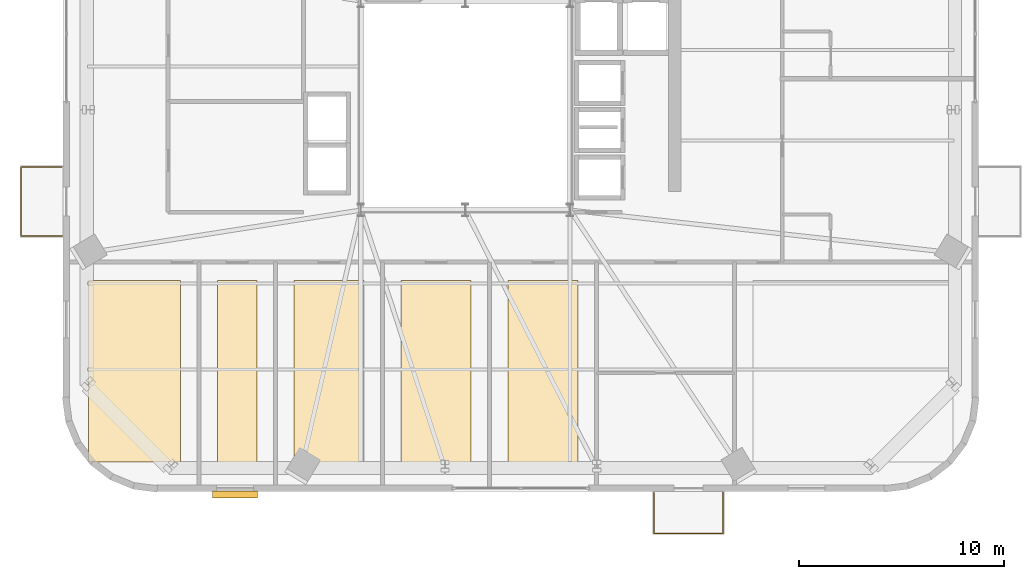
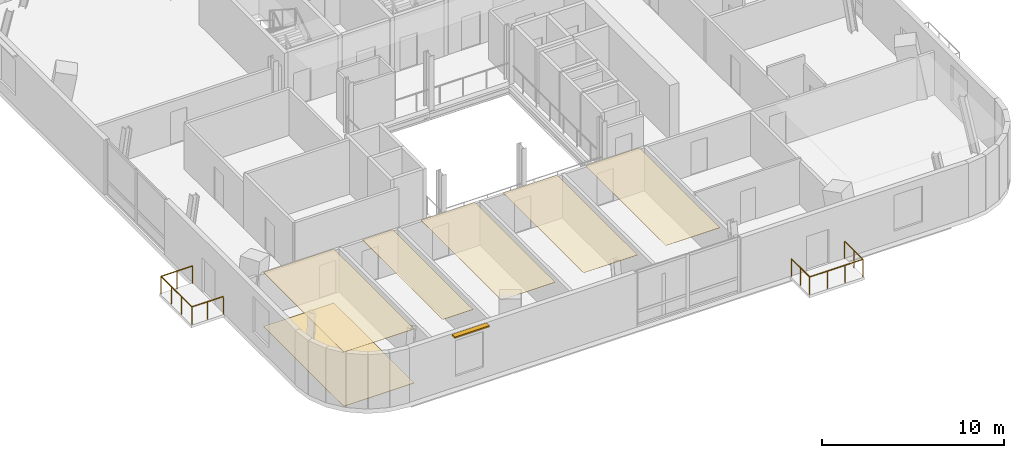
# One storey, part 12 of 15: 6 coverings, 2 railings, 1 shading device.
"""IFC4 building model written with IfcOpenShell, lengths in metres."""

import ifcopenshell
import ifcopenshell.guid

model = None  # the IFC model being written
_history = None  # IfcOwnerHistory: only IFC2X3 demands one
_inside = {}  # id of a spatial element -> (the spatial element, [elements in it])
_under = {}  # id of a project, library or spatial element -> (it, [spatial elements below it])
_declared = {}  # id of a project -> (the project, [libraries it declares])
_typed = {}  # id of a type object -> (the type object, [elements of that type])
_made_of = {}  # id of a material, layer set ... -> (it, [elements and type objects made of it])


def new_model(schema):
    """Start an empty IFC model of exactly this schema.

    Asked for "IFC4X3", IfcOpenShell would pick the latest addendum, in which some entities
    have other attributes; the version numbers below select the first issue.
    IFC2X3 requires an IfcOwnerHistory on every rooted entity: one is made here for all.
    """
    global model, _history
    if schema == "IFC4X3":
        model = ifcopenshell.file(schema_version=(4, 3, 0, 0))
    else:
        model = ifcopenshell.file(schema=schema)
    _inside.clear()
    _under.clear()
    _declared.clear()
    _typed.clear()
    _made_of.clear()
    _history = None
    if model.schema == "IFC2X3":
        org = make("IfcOrganization", Name="unknown")
        user = make(
            "IfcPersonAndOrganization",
            ThePerson=make("IfcPerson", FamilyName="unknown"),
            TheOrganization=org,
        )
        app = make(
            "IfcApplication",
            ApplicationDeveloper=org,
            Version="unknown",
            ApplicationFullName="unknown",
            ApplicationIdentifier="unknown",
        )
        _history = make(
            "IfcOwnerHistory",
            OwningUser=user,
            OwningApplication=app,
            ChangeAction="ADDED",
            CreationDate=0,
        )
    return model


def make(cls, **values):
    """One entity of the class cls with the attributes given. An attribute that is None is left unset."""
    return model.create_entity(
        cls, **{name: value for name, value in values.items() if value is not None}
    )


def rooted(cls, **values):
    """An entity with a GlobalId (a new one), such as an element, a storey or a relation."""
    return make(cls, GlobalId=ifcopenshell.guid.new(), OwnerHistory=_history, **values)


def si_unit(unit_type, name, prefix=None):
    """IfcSIUnit, for example si_unit("LENGTHUNIT", "METRE", prefix="MILLI")."""
    return make("IfcSIUnit", UnitType=unit_type, Prefix=prefix, Name=name)


def assignment(units):
    """IfcUnitAssignment: the units of a project."""
    return None if units is None else make("IfcUnitAssignment", Units=units)


def point(xyz):
    """IfcCartesianPoint."""
    return None if xyz is None else make("IfcCartesianPoint", Coordinates=xyz)


def direction(xyz):
    """IfcDirection."""
    return None if xyz is None else make("IfcDirection", DirectionRatios=xyz)


def frame(location, z_axis=None, x_axis=None):
    """IfcAxis2Placement3D, a coordinate frame: its origin and axes. An axis left out is left unset."""
    return make(
        "IfcAxis2Placement3D",
        Location=point(location),
        Axis=direction(z_axis),
        RefDirection=direction(x_axis),
    )


def frame_2d(location, x_axis=None):
    """IfcAxis2Placement2D, a coordinate frame in the plane: its origin and x axis."""
    return make(
        "IfcAxis2Placement2D", Location=point(location), RefDirection=direction(x_axis)
    )


def origin():
    """The frame at (0, 0, 0) with its axes left unset."""
    return frame((0.0, 0.0, 0.0))


def origin_2d():
    """The frame at (0, 0) in the plane with its x axis left unset."""
    return frame_2d((0.0, 0.0))


def place(relative_to, where):
    """IfcLocalPlacement: puts the frame where relative to a parent placement (None: the world)."""
    return make(
        "IfcLocalPlacement", PlacementRelTo=relative_to, RelativePlacement=where
    )


def context(
    kind, dimensions, precision=None, world=None, true_north=None, identifier=None
):
    """IfcGeometricRepresentationContext, for example the 3D "Model" context."""
    return make(
        "IfcGeometricRepresentationContext",
        ContextIdentifier=identifier,
        ContextType=kind,
        CoordinateSpaceDimension=dimensions,
        Precision=precision,
        WorldCoordinateSystem=world,
        TrueNorth=true_north,
    )


def subcontext(parent, identifier, kind, view, scale=None):
    """IfcGeometricRepresentationSubContext, for example "Body" below "Model"."""
    return make(
        "IfcGeometricRepresentationSubContext",
        ContextIdentifier=identifier,
        ContextType=kind,
        ParentContext=parent,
        TargetScale=scale,
        TargetView=view,
    )


def project(units=None, contexts=None):
    """IfcProject with its units and contexts."""
    return rooted(
        "IfcProject",
        Name="project",
        RepresentationContexts=contexts,
        UnitsInContext=assignment(units),
    )


def spatial(cls, under=None, at=None, **own):
    """A site, building, storey or space (cls), placed at a placement, below another one or the project."""
    s = rooted(cls, ObjectPlacement=at, **own)
    if under is not None:
        _under.setdefault(under.id(), (under, []))[1].append(s)
    return s


def polyline(points):
    """IfcPolyline through the points."""
    return make("IfcPolyline", Points=[point(p) for p in points])


def profile(cls, at=None, kind="AREA", **sizes):
    """A parametric profile (cls). Its sizes go by their IFC names, for example OverallWidth=200.0."""
    return make(cls, ProfileType=kind, Position=at, **sizes)


def rectangle(**sizes):
    """IfcRectangleProfileDef."""
    return profile("IfcRectangleProfileDef", **sizes)


def outline(outer, holes=None, kind="AREA"):
    """IfcArbitraryClosedProfileDef: a profile drawn as a closed curve; with holes, ...WithVoids."""
    if holes is None:
        return make("IfcArbitraryClosedProfileDef", ProfileType=kind, OuterCurve=outer)
    return make(
        "IfcArbitraryProfileDefWithVoids",
        ProfileType=kind,
        OuterCurve=outer,
        InnerCurves=holes,
    )


def extrude(swept, where, along, depth):
    """IfcExtrudedAreaSolid: the profile swept, set in the frame where, extruded along a direction by depth."""
    return make(
        "IfcExtrudedAreaSolid",
        SweptArea=swept,
        Position=where,
        ExtrudedDirection=direction(along),
        Depth=depth,
    )


def shape(context_of_items, identifier, shape_type, items):
    """IfcShapeRepresentation: the items that make up one representation, for example the "Body"."""
    return make(
        "IfcShapeRepresentation",
        ContextOfItems=context_of_items,
        RepresentationIdentifier=identifier,
        RepresentationType=shape_type,
        Items=items,
    )


def source(mapping_origin, context_of_items, identifier, shape_type, items):
    """IfcRepresentationMap: a shape defined once, which mapped items show again and again."""
    return make(
        "IfcRepresentationMap",
        MappingOrigin=mapping_origin,
        MappedRepresentation=shape(context_of_items, identifier, shape_type, items),
    )


def transform(
    local_origin,
    x_axis=None,
    y_axis=None,
    z_axis=None,
    scale=None,
    scale2=None,
    scale3=None,
    uniform=True,
):
    """IfcCartesianTransformationOperator3D, or its non-uniform kind. x_axis, y_axis, z_axis: its Axis1, 2, 3."""
    if uniform:
        return make(
            "IfcCartesianTransformationOperator3D",
            Axis1=direction(x_axis),
            Axis2=direction(y_axis),
            LocalOrigin=point(local_origin),
            Scale=scale,
            Axis3=direction(z_axis),
        )
    return make(
        "IfcCartesianTransformationOperator3DnonUniform",
        Axis1=direction(x_axis),
        Axis2=direction(y_axis),
        LocalOrigin=point(local_origin),
        Scale=scale,
        Axis3=direction(z_axis),
        Scale2=scale2,
        Scale3=scale3,
    )


def mapped(mapping_source, mapping_target):
    """IfcMappedItem: shows the shape of a source again, moved by a transform."""
    return make(
        "IfcMappedItem", MappingSource=mapping_source, MappingTarget=mapping_target
    )


def material(Name=None, Category=None):
    """IfcMaterial."""
    return make("IfcMaterial", Name=Name, Category=Category)


def layer(
    of_material, thickness, ventilated=None, Name=None, Category=None, Priority=None
):
    """IfcMaterialLayer: one layer of a wall or slab, of a material (None: an air gap)."""
    return make(
        "IfcMaterialLayer",
        Material=of_material,
        LayerThickness=thickness,
        IsVentilated=ventilated,
        Name=Name,
        Category=Category,
        Priority=Priority,
    )


def layer_set(layers, Name=None):
    """IfcMaterialLayerSet."""
    return make("IfcMaterialLayerSet", MaterialLayers=layers, LayerSetName=Name)


def made_of(thing, what):
    """Note that an element or type object is made of a material, layer set ...; save() writes the relation."""
    if what is not None:
        _made_of.setdefault(what.id(), (what, []))[1].append(thing)
    return thing


def type_object(cls, material=None, **own):
    """A type object (cls), such as IfcWallType, which elements share."""
    return made_of(rooted(cls, **own), material)


def element(
    cls,
    number,
    at=None,
    inside=None,
    cuts=None,
    type_object=None,
    material=None,
    context=None,
    identifier="Body",
    shape_type=None,
    held_by="IfcProductDefinitionShape",
    body=None,
    shapes=None,
    **own,
):
    """One element of the class cls, such as IfcWall. Its Tag is "e" and its number.

    at: its placement. inside: the storey or other place that contains it. cuts: it is an
    opening in that element (IfcRelVoidsElement). A single representation is given by context,
    identifier, shape_type and body (its items); several are given by shapes. held_by: the class
    of the entity that holds the representations. save() writes the other relations.
    """
    e = rooted(cls, Tag="e%d" % number, ObjectPlacement=at, **own)
    if body is not None:
        shapes = [shape(context, identifier, shape_type, body)]
    if shapes is not None:
        e.Representation = make(held_by, Representations=shapes)
    if inside is not None:
        _inside.setdefault(inside.id(), (inside, []))[1].append(e)
    if cuts is not None:
        rooted(
            "IfcRelVoidsElement", RelatingBuildingElement=cuts, RelatedOpeningElement=e
        )
    if type_object is not None:
        _typed.setdefault(type_object.id(), (type_object, []))[1].append(e)
    return made_of(e, material)


def aggregate(whole, parts):
    """IfcRelAggregates: a whole, such as a stair, and the parts it consists of."""
    return rooted("IfcRelAggregates", RelatingObject=whole, RelatedObjects=parts)


def save(model, path):
    """Write the relations noted so far, then the file.

    IfcRelAggregates (storeys below a building ...), IfcRelContainedInSpatialStructure (elements
    in a storey), IfcRelDefinesByType, IfcRelAssociatesMaterial and IfcRelDeclares: one each for
    every whole, place, type object, material and project.
    """
    for whole, parts in _under.values():
        aggregate(whole, parts)
    for where, things in _inside.values():
        rooted(
            "IfcRelContainedInSpatialStructure",
            RelatedElements=things,
            RelatingStructure=where,
        )
    for kind, things in _typed.values():
        rooted("IfcRelDefinesByType", RelatedObjects=things, RelatingType=kind)
    for what, things in _made_of.values():
        rooted("IfcRelAssociatesMaterial", RelatedObjects=things, RelatingMaterial=what)
    for by, libraries in _declared.values():
        rooted("IfcRelDeclares", RelatingContext=by, RelatedDefinitions=libraries)
    model.write(path)


model = new_model("IFC4")

# Units and contexts
model_context = context("Model", 3, precision=1e-05, world=origin(), true_north=direction((0.0, 1.0)))
body_context = subcontext(model_context, "Body", "Model", "MODEL_VIEW")
ifc_project = project(units=[si_unit("LENGTHUNIT", "METRE"), si_unit("AREAUNIT", "SQUARE_METRE"), si_unit("VOLUMEUNIT", "CUBIC_METRE"), si_unit("PLANEANGLEUNIT", "RADIAN"), si_unit("MASSUNIT", "GRAM", prefix="KILO")], contexts=[model_context])

# Site, building, storey
site_placement = place(None, origin())
site = spatial("IfcSite", under=ifc_project, at=site_placement, CompositionType="ELEMENT")
building_placement = place(site_placement, origin())
building = spatial("IfcBuilding", under=site, at=building_placement, Name="Vardaveli Station Tower", CompositionType="ELEMENT")
storey_placement = place(building_placement, frame((0.0, 0.0, 262.449951171875)))
storey = spatial("IfcBuildingStorey", under=building, at=storey_placement, Name="L67", CompositionType="ELEMENT", Elevation=262.449951171875)

# Coverings
ifc_material_1 = material(Name="Perforated acoustic mineral ceiling")
ifc_layer_1 = layer(ifc_material_1, 0.02001953125, Name="Perforated acoustic mineral ceiling")
ifc_layer_set_1 = layer_set([ifc_layer_1], Name="Perforated acoustic mineral ceiling")
covering_type_1 = type_object("IfcCoveringType", Name="COV-CEIL-AC20", PredefinedType="CEILING", material=ifc_layer_set_1)
covering_1_placement = place(storey_placement, frame((0.0, 0.0, 3.635009765625)))
element("IfcCovering", 1, at=covering_1_placement, inside=storey, type_object=covering_type_1, Name="CEIL-L67-1", PredefinedType="CEILING", context=body_context, shape_type="SweptSolid", body=[
    extrude(outline(polyline([(17.929931640625, 4.330078125), (22.406982421875, 4.330078125), (22.406982421875, 13.169921875), (17.929931640625, 13.169921875), (17.929931640625, 4.330078125)])), origin(), (0.0, 0.0, 1.0), 0.02001953125),
])
covering_2_placement = place(storey_placement, frame((0.0, 0.0, 3.635009765625)))
element("IfcCovering", 2, at=covering_2_placement, inside=storey, type_object=covering_type_1, Name="CEIL-L67-2", PredefinedType="CEILING", context=body_context, shape_type="SweptSolid", body=[
    extrude(outline(polyline([(24.20703125, 4.330078125), (26.129638671875, 4.330078125), (26.129638671875, 13.169921875), (24.20703125, 13.169921875), (24.20703125, 4.330078125)])), origin(), (0.0, 0.0, 1.0), 0.02001953125),
])
covering_3_placement = place(storey_placement, frame((0.0, 0.0, 3.635009765625)))
element("IfcCovering", 3, at=covering_3_placement, inside=storey, type_object=covering_type_1, Name="CEIL-L67-3", PredefinedType="CEILING", context=body_context, shape_type="SweptSolid", body=[
    extrude(outline(polyline([(27.9296875, 4.330078125), (31.352294921875, 4.330078125), (31.352294921875, 13.169921875), (27.9296875, 13.169921875), (27.9296875, 4.330078125)])), origin(), (0.0, 0.0, 1.0), 0.02001953125),
])
covering_4_placement = place(storey_placement, frame((0.0, 0.0, 3.635009765625)))
element("IfcCovering", 4, at=covering_4_placement, inside=storey, type_object=covering_type_1, Name="CEIL-L67-4", PredefinedType="CEILING", context=body_context, shape_type="SweptSolid", body=[
    extrude(outline(polyline([(33.15234375, 4.330078125), (36.574951171875, 4.330078125), (36.574951171875, 13.169921875), (33.15234375, 13.169921875), (33.15234375, 4.330078125)])), origin(), (0.0, 0.0, 1.0), 0.02001953125),
])
covering_5_placement = place(storey_placement, frame((0.0, 0.0, 3.635009765625)))
element("IfcCovering", 5, at=covering_5_placement, inside=storey, type_object=covering_type_1, Name="CEIL-L67-5", PredefinedType="CEILING", context=body_context, shape_type="SweptSolid", body=[
    extrude(outline(polyline([(38.375, 4.330078125), (41.79736328125, 4.330078125), (41.79736328125, 13.169921875), (38.375, 13.169921875), (38.375, 4.330078125)])), origin(), (0.0, 0.0, 1.0), 0.02001953125),
])
ifc_material_2 = material(Name="Honed Caucasian basalt and travertine flooring", Category="masonry")
ifc_layer_2 = layer(ifc_material_2, 0.030029296875, Name="Honed Caucasian basalt and travertine flooring")
ifc_layer_set_2 = layer_set([ifc_layer_2], Name="Honed Caucasian basalt and travertine flooring")
covering_type_2 = type_object("IfcCoveringType", Name="COV-FLOOR-ST30", PredefinedType="FLOORING", material=ifc_layer_set_2)
covering_6_placement = place(storey_placement, origin())
element("IfcCovering", 6, at=covering_6_placement, inside=storey, type_object=covering_type_2, Name="FLR-L67-1", PredefinedType="FLOORING", context=body_context, shape_type="SweptSolid", body=[
    extrude(outline(polyline([(17.929931640625, 4.330078125), (22.406982421875, 4.330078125), (22.406982421875, 13.169921875), (17.929931640625, 13.169921875), (17.929931640625, 4.330078125)])), origin(), (0.0, 0.0, 1.0), 0.030029296875),
])

# Shading device
ifc_material_3 = material(Name="Anodised champagne aluminium sunshade", Category="aluminium")
ifc_layer_3 = layer(ifc_material_3, 0.090087890625, Name="Anodised champagne aluminium sunshade")
ifc_layer_set_3 = layer_set([ifc_layer_3], Name="Anodised champagne aluminium sunshade")
shading_device_type = type_object("IfcShadingDeviceType", Name="SHD-SUNSHADE", PredefinedType="USERDEFINED", material=ifc_layer_set_3)
shared_shape_1 = source(origin(), body_context, "Body", "SweptSolid", [
    extrude(rectangle(XDim=2.199951171875, YDim=0.320068359375, at=origin_2d()), origin(), (0.0, 0.0, 1.0), 0.090087890625),
])
shading_device_placement = place(storey_placement, frame((25.069091796875, 2.735107421875, 3.52978515625), z_axis=(0.0, 0.0, 1.0), x_axis=(1.0, 0.0, 0.0)))
element("IfcShadingDevice", 7, at=shading_device_placement, inside=storey, type_object=shading_device_type, Name="SHD-SS-L67-S", ObjectType="SUNSHADE", PredefinedType="USERDEFINED", context=body_context, shape_type="MappedRepresentation", body=[
    mapped(shared_shape_1, transform((0.0, 0.0, 0.0), scale=1.0)),
])

# Railings
ifc_material_4 = material(Name="Laminated glass and stainless steel balustrade", Category="steel")
railing_type = type_object("IfcRailingType", Name="RL-BAL-1200", PredefinedType="BALUSTRADE", material=ifc_material_4)
shared_shape_2 = source(origin(), body_context, "Body", "SweptSolid", [
    extrude(rectangle(XDim=0.048095703125, YDim=0.048095703125, at=origin_2d()), frame((0.0, 0.0, 1.17578125), z_axis=(-1.0, 0.0, 0.0), x_axis=(0.0, -1.0, 0.0)), (0.0, 0.0, 1.0), 2.0),
    extrude(rectangle(XDim=0.048095703125, YDim=0.048095703125, at=origin_2d()), frame((-2.0, 0.0, 1.17578125), z_axis=(0.0, 1.0, 0.0), x_axis=(-1.0, 0.0, 0.0)), (0.0, 0.0, 1.0), 3.3798828125),
    extrude(rectangle(XDim=0.048095703125, YDim=0.048095703125, at=origin_2d()), frame((-2.0, 3.3798828125, 1.17578125), z_axis=(1.0, 0.0, 0.0), x_axis=(0.0, 1.0, 0.0)), (0.0, 0.0, 1.0), 2.0),
    extrude(rectangle(XDim=0.0419921875, YDim=0.0419921875, at=origin_2d()), origin(), (0.0, 0.0, 1.0), 1.15185546875),
    extrude(rectangle(XDim=0.0419921875, YDim=0.0419921875, at=origin_2d()), frame((-1.0, 0.0, 0.0)), (0.0, 0.0, 1.0), 1.15185546875),
    extrude(rectangle(XDim=0.0419921875, YDim=0.0419921875, at=origin_2d()), frame((-2.0, 0.0, 0.0)), (0.0, 0.0, 1.0), 1.15185546875),
    extrude(rectangle(XDim=0.0419921875, YDim=0.0419921875, at=origin_2d()), frame((-2.0, 1.126708984375, 0.0)), (0.0, 0.0, 1.0), 1.15185546875),
    extrude(rectangle(XDim=0.0419921875, YDim=0.0419921875, at=origin_2d()), frame((-2.0, 2.253173828125, 0.0)), (0.0, 0.0, 1.0), 1.15185546875),
    extrude(rectangle(XDim=0.0419921875, YDim=0.0419921875, at=origin_2d()), frame((-2.0, 3.3798828125, 0.0)), (0.0, 0.0, 1.0), 1.15185546875),
    extrude(rectangle(XDim=0.0419921875, YDim=0.0419921875, at=origin_2d()), frame((-1.0, 3.3798828125, 0.0)), (0.0, 0.0, 1.0), 1.15185546875),
    extrude(rectangle(XDim=0.0419921875, YDim=0.0419921875, at=origin_2d()), frame((0.0, 3.3798828125, 0.0)), (0.0, 0.0, 1.0), 1.15185546875),
])
railing_1_placement = place(storey_placement, frame((16.639892578125, 15.335205078125, 0.0)))
element("IfcRailing", 8, at=railing_1_placement, inside=storey, type_object=railing_type, Name="RL-LOG-L67-03", PredefinedType="BALUSTRADE", context=body_context, shape_type="MappedRepresentation", body=[
    mapped(shared_shape_2, transform((0.0, 0.0, 0.0), scale=1.0)),
])
shared_shape_3 = source(origin(), body_context, "Body", "SweptSolid", [
    extrude(rectangle(XDim=0.048095703125, YDim=0.048095703125, at=origin_2d()), frame((0.0, 0.0, 1.17578125), z_axis=(0.0, -1.0, 0.0), x_axis=(1.0, 0.0, 0.0)), (0.0, 0.0, 1.0), 2.0),
    extrude(rectangle(XDim=0.048095703125, YDim=0.048095703125, at=origin_2d()), frame((0.0, -2.0, 1.17578125), z_axis=(1.0, 0.0, 0.0), x_axis=(0.0, 1.0, 0.0)), (0.0, 0.0, 1.0), 3.380126953125),
    extrude(rectangle(XDim=0.048095703125, YDim=0.048095703125, at=origin_2d()), frame((3.380126953125, -2.0, 1.17578125), z_axis=(0.0, 1.0, 0.0), x_axis=(-1.0, 0.0, 0.0)), (0.0, 0.0, 1.0), 2.0),
    extrude(rectangle(XDim=0.0419921875, YDim=0.0419921875, at=origin_2d()), origin(), (0.0, 0.0, 1.0), 1.15185546875),
    extrude(rectangle(XDim=0.0419921875, YDim=0.0419921875, at=origin_2d()), frame((0.0, -1.0, 0.0)), (0.0, 0.0, 1.0), 1.15185546875),
    extrude(rectangle(XDim=0.0419921875, YDim=0.0419921875, at=origin_2d()), frame((0.0, -2.0, 0.0)), (0.0, 0.0, 1.0), 1.15185546875),
    extrude(rectangle(XDim=0.0419921875, YDim=0.0419921875, at=origin_2d()), frame((1.126708984375, -2.0, 0.0)), (0.0, 0.0, 1.0), 1.15185546875),
    extrude(rectangle(XDim=0.0419921875, YDim=0.0419921875, at=origin_2d()), frame((2.25341796875, -2.0, 0.0)), (0.0, 0.0, 1.0), 1.15185546875),
    extrude(rectangle(XDim=0.0419921875, YDim=0.0419921875, at=origin_2d()), frame((3.380126953125, -2.0, 0.0)), (0.0, 0.0, 1.0), 1.15185546875),
    extrude(rectangle(XDim=0.0419921875, YDim=0.0419921875, at=origin_2d()), frame((3.380126953125, -1.0, 0.0)), (0.0, 0.0, 1.0), 1.15185546875),
    extrude(rectangle(XDim=0.0419921875, YDim=0.0419921875, at=origin_2d()), frame((3.380126953125, 0.0, 0.0)), (0.0, 0.0, 1.0), 1.15185546875),
])
railing_2_placement = place(storey_placement, frame((45.48486328125, 2.840087890625, 0.0)))
element("IfcRailing", 9, at=railing_2_placement, inside=storey, type_object=railing_type, Name="RL-LOG-L67-01", PredefinedType="BALUSTRADE", context=body_context, shape_type="MappedRepresentation", body=[
    mapped(shared_shape_3, transform((0.0, 0.0, 0.0), scale=1.0)),
])

save(model, "model.ifc")
